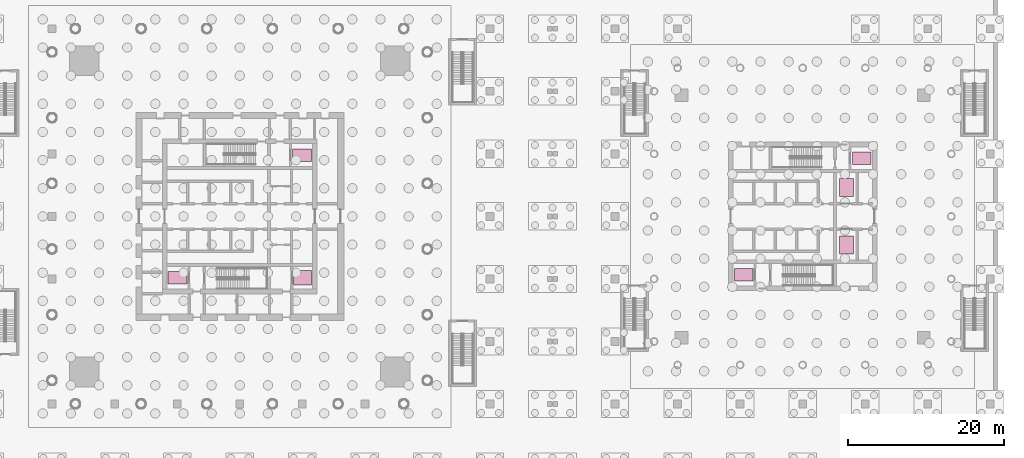
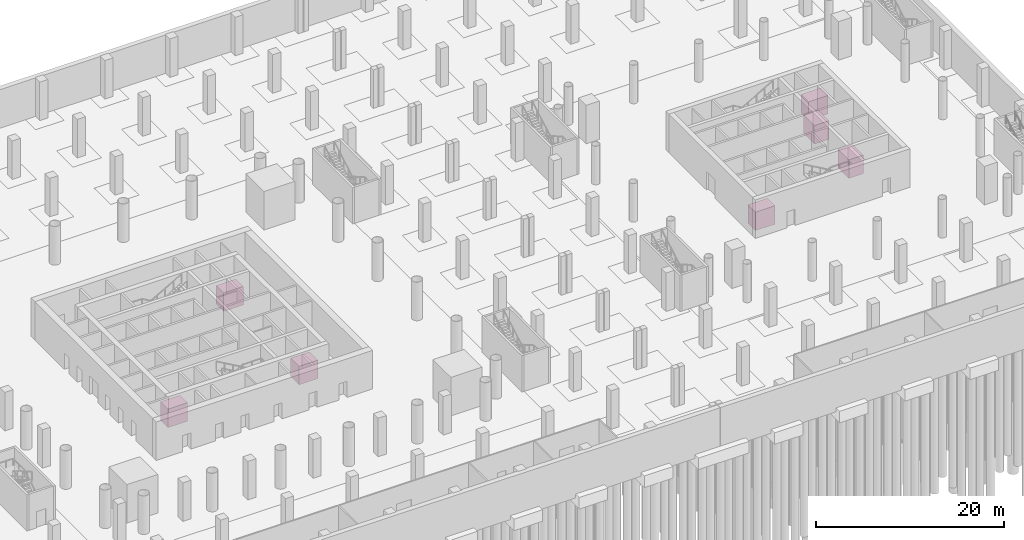
# One storey, part 24 of 24: 7 transport elements.
"""IFC4 building model written with IfcOpenShell, lengths in metres."""

from ifc_helpers import new_model, si_unit, direction, frame, origin, origin_2d, place, context, subcontext, project, spatial, rectangle, extrude, material, type_object, element, save


model = new_model("IFC4")

# Units and contexts
model_context = context("Model", 3, precision=1e-05, world=origin(), true_north=direction((0.0, 1.0)))
body_context = subcontext(model_context, "Body", "Model", "MODEL_VIEW")
ifc_project = project(units=[si_unit("LENGTHUNIT", "METRE"), si_unit("AREAUNIT", "SQUARE_METRE"), si_unit("VOLUMEUNIT", "CUBIC_METRE"), si_unit("PLANEANGLEUNIT", "RADIAN"), si_unit("MASSUNIT", "GRAM", prefix="KILO")], contexts=[model_context])

# Site, building, storey
site_placement = place(None, origin())
site = spatial("IfcSite", under=ifc_project, at=site_placement, CompositionType="ELEMENT")
building_placement = place(site_placement, origin())
building = spatial("IfcBuilding", under=site, at=building_placement, Name="Ostroluk Exchange", CompositionType="ELEMENT")
storey_placement = place(building_placement, frame((0.0, 0.0, -10.0)))
storey = spatial("IfcBuildingStorey", under=building, at=storey_placement, Name="B2", CompositionType="ELEMENT", Elevation=-10.0)

# Transport elements
ifc_material_1 = material(Name="Steel S355", Category="steel")
transport_element_type_1 = type_object("IfcTransportElementType", Name="Firefighting lift 1800 kg", PredefinedType="ELEVATOR", material=ifc_material_1)
for number, where, z_axis, x_axis, name in (
    (1, (37.050048828125, 38.14990234375, 0.0), (0.0, 0.0, 1.0), (1.0, 0.0, 0.0), "Firefighting lift FL1"),
    (2, (52.949951171875, 53.85009765625, 0.0), (0.0, 0.0, 1.0), (1.0, 0.0, 0.0), "Firefighting lift FL2"),
    (3, (109.449951171875, 38.550048828125, 0.0), (0.0, 0.0, 1.0), (1.0, 0.0, 0.0), "Firefighting lift HF1"),
    (4, (124.550048828125, 53.449951171875, 0.0), (0.0, 0.0, 1.0), (1.0, 0.0, 0.0), "Firefighting lift HF2"),
):
    element("IfcTransportElement", number, at=place(storey_placement, frame(where, z_axis=z_axis, x_axis=x_axis)), inside=storey, type_object=transport_element_type_1, Name=name, PredefinedType="ELEVATOR", context=body_context, shape_type="SweptSolid", body=[
        extrude(rectangle(XDim=2.39990234375, YDim=1.60009765625, at=origin_2d()), origin(), (0.0, 0.0, 1.0), 2.39990234375),
    ])
ifc_material_2 = material(Name="Steel S355", Category="steel")
transport_element_type_2 = type_object("IfcTransportElementType", Name="Service lift 2000 kg", PredefinedType="ELEVATOR", material=ifc_material_2)
transport_element_placement = place(storey_placement, frame((53.050048828125, 38.14990234375, 0.0), z_axis=(0.0, 0.0, 1.0), x_axis=(1.0, 0.0, 0.0)))
element("IfcTransportElement", 5, at=transport_element_placement, inside=storey, type_object=transport_element_type_2, Name="Lift SL1", PredefinedType="ELEVATOR", context=body_context, shape_type="SweptSolid", body=[
    extrude(rectangle(XDim=2.300048828125, YDim=1.800048828125, at=origin_2d()), origin(), (0.0, 0.0, 1.0), 2.39990234375),
])
for number, where, z_axis, x_axis, name in (
    (6, (122.580078125, 49.675048828125, 0.0), (0.0, 0.0, 1.0), (1.0, 0.0, 0.0), "Lift HS1"),
    (7, (122.580078125, 42.324951171875, 0.0), (0.0, 0.0, 1.0), (1.0, 0.0, 0.0), "Lift HS2"),
):
    element("IfcTransportElement", number, at=place(storey_placement, frame(where, z_axis=z_axis, x_axis=x_axis)), inside=storey, type_object=transport_element_type_2, Name=name, PredefinedType="ELEVATOR", context=body_context, shape_type="SweptSolid", body=[
        extrude(rectangle(XDim=1.800048828125, YDim=2.300048828125, at=origin_2d()), origin(), (0.0, 0.0, 1.0), 2.39990234375),
    ])

save(model, "model.ifc")
